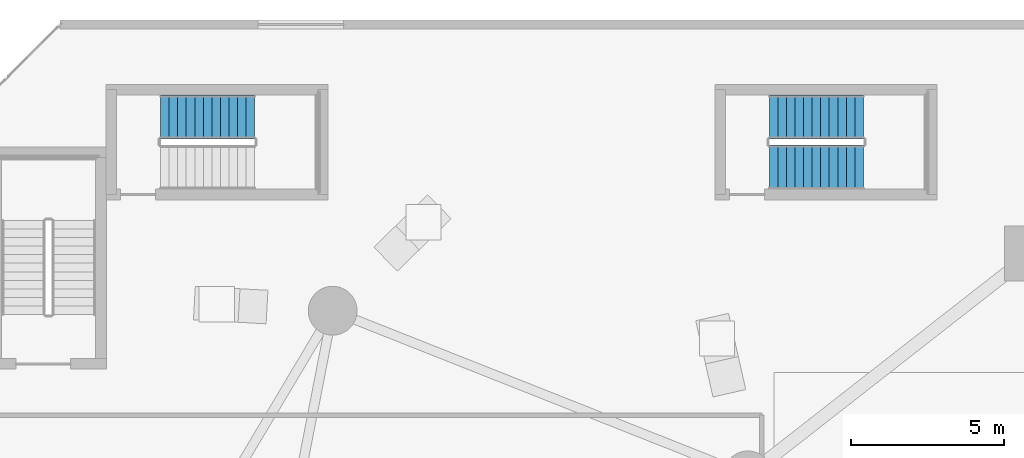
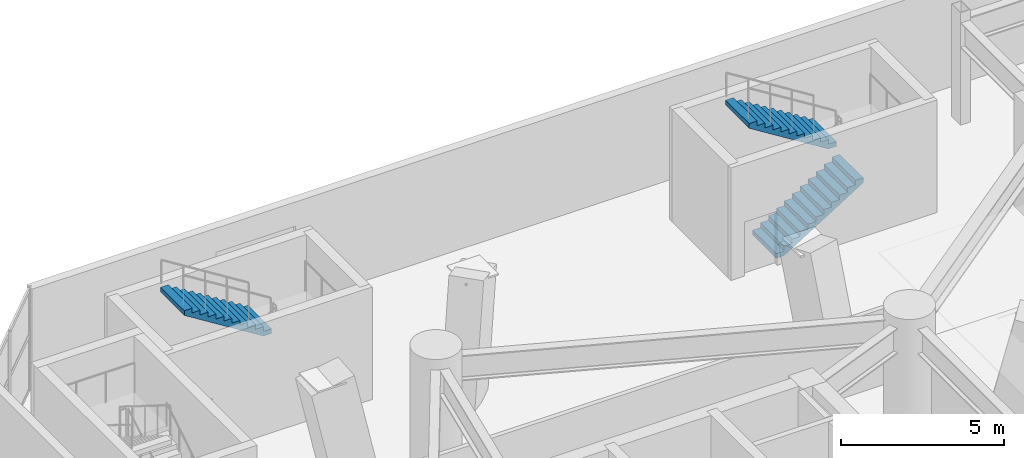
# One storey, part 15 of 20: 3 stair flights, 2 elements without a shape of their own.
"""IFC4 building model written with IfcOpenShell, lengths in metres."""

from ifc_helpers import new_model, si_unit, direction, frame, origin, place, context, subcontext, project, spatial, polyline, outline, extrude, material, type_object, element, aggregate, save


model = new_model("IFC4")

# Units and contexts
model_context = context("Model", 3, precision=1e-05, world=origin(), true_north=direction((0.0, 1.0)))
body_context = subcontext(model_context, "Body", "Model", "MODEL_VIEW")
ifc_project = project(units=[si_unit("LENGTHUNIT", "METRE"), si_unit("AREAUNIT", "SQUARE_METRE"), si_unit("VOLUMEUNIT", "CUBIC_METRE"), si_unit("PLANEANGLEUNIT", "RADIAN"), si_unit("MASSUNIT", "GRAM", prefix="KILO")], contexts=[model_context])

# Site, building, storey
site_placement = place(None, origin())
site = spatial("IfcSite", under=ifc_project, at=site_placement, CompositionType="ELEMENT")
building_placement = place(site_placement, origin())
building = spatial("IfcBuilding", under=site, at=building_placement, Name="Cununo Teusaquillo Station Towers", CompositionType="ELEMENT")
storey_placement = place(building_placement, frame((0.0, 0.0, 13.199951171875)))
storey = spatial("IfcBuildingStorey", under=building, at=storey_placement, Name="L03", CompositionType="ELEMENT", Elevation=13.199951171875)

# Stair, stair flights
ifc_material_1 = material(Name="Concrete C50/60", Category="concrete")
stair_type = type_object("IfcStairType", Name="ST-POD-1450", PredefinedType="HALF_TURN_STAIR", material=ifc_material_1)
stair_1_placement = place(storey_placement, origin())
stair_1 = element("IfcStair", 1, at=stair_1_placement, inside=storey, type_object=stair_type, Name="L03 Station Podium North Protected Exit Stair", PredefinedType="HALF_TURN_STAIR")
ifc_material_2 = material(Name="Concrete C50/60", Category="concrete")
stair_flight_type = type_object("IfcStairFlightType", Name="SFL-POD-1450", PredefinedType="STRAIGHT", material=ifc_material_2)
stair_flight_1_placement = place(storey_placement, frame((27.050048828125, 43.324951171875, 0.0), z_axis=(0.0, 0.0, 1.0), x_axis=(1.0, 0.0, 0.0)))
stair_flight_1 = element("IfcStairFlight", 2, at=stair_flight_1_placement, type_object=stair_flight_type, Name="ST-POD-N flight 1", NumberOfRisers=12, NumberOfTreads=11, PredefinedType="STRAIGHT", RiserHeight=0.175, TreadLength=0.28, context=body_context, shape_type="SweptSolid", body=[
    extrude(outline(polyline([(0.0, 0.0), (0.0, 0.175048828125), (0.280029296875, 0.175048828125), (0.280029296875, 0.35009765625), (0.56005859375, 0.35009765625), (0.56005859375, 0.52490234375), (0.840087890625, 0.52490234375), (0.840087890625, 0.699951171875), (1.1201171875, 0.699951171875), (1.1201171875, 0.875), (1.39990234375, 0.875), (1.39990234375, 1.050048828125), (1.679931640625, 1.050048828125), (1.679931640625, 1.22509765625), (1.9599609375, 1.22509765625), (1.9599609375, 1.39990234375), (2.239990234375, 1.39990234375), (2.239990234375, 1.574951171875), (2.52001953125, 1.574951171875), (2.52001953125, 1.75), (2.800048828125, 1.75), (2.800048828125, 1.925048828125), (3.080078125, 1.925048828125), (3.080078125, 2.10009765625), (3.080078125, 1.748291015625), (0.28271484375, 0.0), (0.0, 0.0)])), frame((0.0, 0.72509765625, 0.0), z_axis=(0.0, -1.0, 0.0), x_axis=(1.0, 0.0, 0.0)), (0.0, 0.0, 1.0), 1.449951171875),
])
stair_flight_2_placement = place(storey_placement, frame((30.1298828125, 44.97509765625, 2.10009765625), z_axis=(0.0, 0.0, 1.0), x_axis=(-1.0, 0.0, 0.0)))
stair_flight_2 = element("IfcStairFlight", 3, at=stair_flight_2_placement, type_object=stair_flight_type, Name="ST-POD-N flight 2", NumberOfRisers=12, NumberOfTreads=11, PredefinedType="STRAIGHT", RiserHeight=0.175, TreadLength=0.28, context=body_context, shape_type="SweptSolid", body=[
    extrude(outline(polyline([(0.0, 0.0), (0.0, 0.175048828125), (0.280029296875, 0.175048828125), (0.280029296875, 0.35009765625), (0.56005859375, 0.35009765625), (0.56005859375, 0.52490234375), (0.840087890625, 0.52490234375), (0.840087890625, 0.699951171875), (1.1201171875, 0.699951171875), (1.1201171875, 0.875), (1.39990234375, 0.875), (1.39990234375, 1.050048828125), (1.679931640625, 1.050048828125), (1.679931640625, 1.22509765625), (1.9599609375, 1.22509765625), (1.9599609375, 1.39990234375), (2.239990234375, 1.39990234375), (2.239990234375, 1.574951171875), (2.52001953125, 1.574951171875), (2.52001953125, 1.75), (2.800048828125, 1.75), (2.800048828125, 1.925048828125), (3.080078125, 1.925048828125), (3.080078125, 2.10009765625), (3.080078125, 1.748291015625), (0.28271484375, 0.0), (0.0, 0.0)])), frame((0.0, 0.72509765625, 0.0), z_axis=(0.0, -1.0, 0.0), x_axis=(1.0, 0.0, 0.0)), (0.0, 0.0, 1.0), 1.449951171875),
])
aggregate(stair_1, [stair_flight_1, stair_flight_2])

# Stair, stair flight
stair_2_placement = place(storey_placement, origin())
stair_2 = element("IfcStair", 4, at=stair_2_placement, inside=storey, type_object=stair_type, Name="L03 Station Podium North-West Protected Exit Stair", PredefinedType="HALF_TURN_STAIR")
stair_flight_3_placement = place(storey_placement, frame((10.179931640625, 44.97509765625, 2.10009765625), z_axis=(0.0, 0.0, 1.0), x_axis=(-1.0, 0.0, 0.0)))
stair_flight_3 = element("IfcStairFlight", 5, at=stair_flight_3_placement, type_object=stair_flight_type, Name="ST-POD-C flight 2", NumberOfRisers=12, NumberOfTreads=11, PredefinedType="STRAIGHT", RiserHeight=0.175, TreadLength=0.28, context=body_context, shape_type="SweptSolid", body=[
    extrude(outline(polyline([(0.0, 0.0), (0.0, 0.175048828125), (0.280029296875, 0.175048828125), (0.280029296875, 0.35009765625), (0.56005859375, 0.35009765625), (0.56005859375, 0.52490234375), (0.840087890625, 0.52490234375), (0.840087890625, 0.699951171875), (1.1201171875, 0.699951171875), (1.1201171875, 0.875), (1.39990234375, 0.875), (1.39990234375, 1.050048828125), (1.679931640625, 1.050048828125), (1.679931640625, 1.22509765625), (1.9599609375, 1.22509765625), (1.9599609375, 1.39990234375), (2.239990234375, 1.39990234375), (2.239990234375, 1.574951171875), (2.52001953125, 1.574951171875), (2.52001953125, 1.75), (2.800048828125, 1.75), (2.800048828125, 1.925048828125), (3.080078125, 1.925048828125), (3.080078125, 2.10009765625), (3.080078125, 1.748291015625), (0.28271484375, 0.0), (0.0, 0.0)])), frame((0.0, 0.72509765625, 0.0), z_axis=(0.0, -1.0, 0.0), x_axis=(1.0, 0.0, 0.0)), (0.0, 0.0, 1.0), 1.449951171875),
])
aggregate(stair_2, [stair_flight_3])

save(model, "model.ifc")
